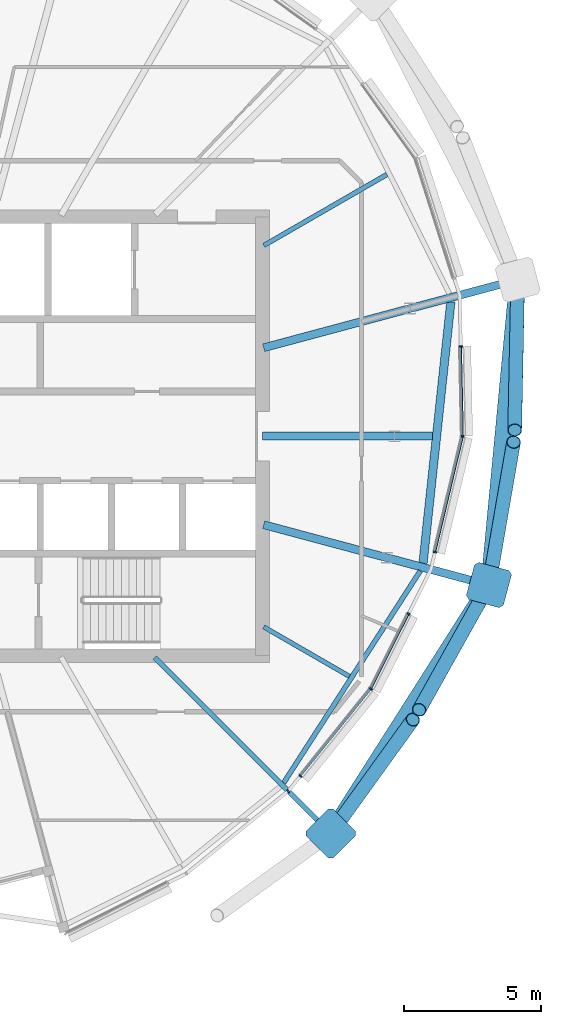
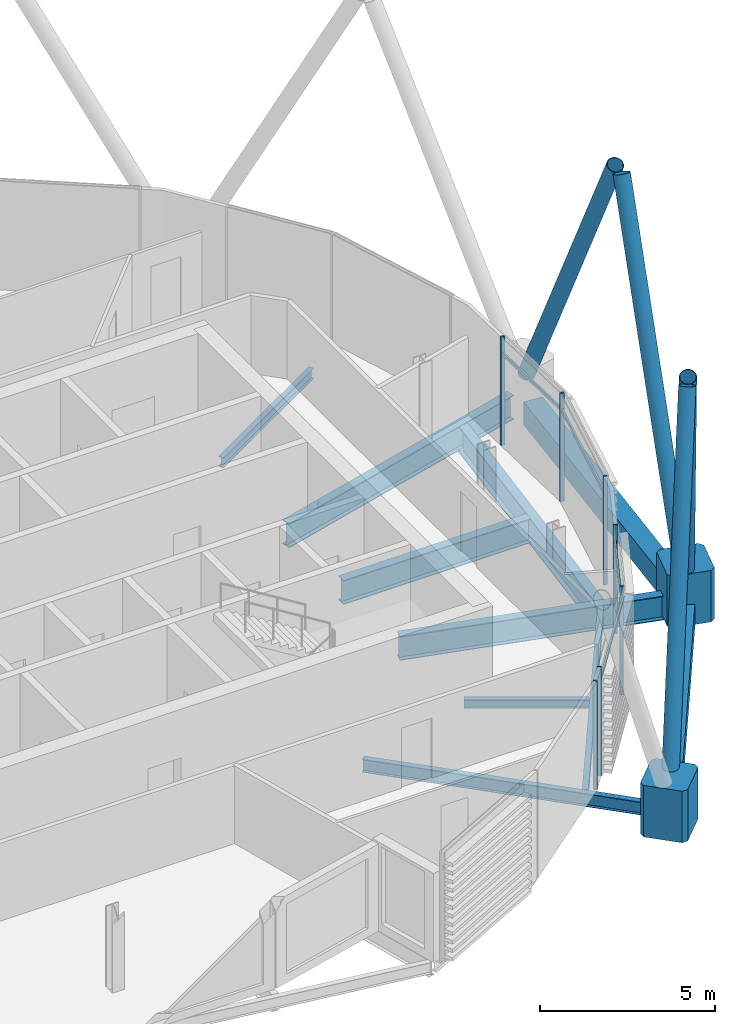
# One storey, part 14 of 32: 17 members, 10 beams, 1 element without a shape of its own.
"""IFC4 building model written with IfcOpenShell, lengths in metres."""

from ifc_helpers import new_model, si_unit, direction, frame, origin, origin_2d, place, context, subcontext, project, spatial, polyline, rectangle, hollow_rectangle, hollow_circle, i_section, outline, extrude, material, material_profile, profile_set, type_object, element, aggregate, save


model = new_model("IFC4")

# Units and contexts
model_context = context("Model", 3, precision=1e-05, world=origin(), true_north=direction((0.0, 1.0)))
body_context = subcontext(model_context, "Body", "Model", "MODEL_VIEW")
ifc_project = project(units=[si_unit("LENGTHUNIT", "METRE"), si_unit("AREAUNIT", "SQUARE_METRE"), si_unit("VOLUMEUNIT", "CUBIC_METRE"), si_unit("PLANEANGLEUNIT", "RADIAN"), si_unit("MASSUNIT", "GRAM", prefix="KILO")], contexts=[model_context])

# Site, building, storey
site_placement = place(None, origin())
site = spatial("IfcSite", under=ifc_project, at=site_placement, CompositionType="ELEMENT")
building_placement = place(site_placement, origin())
building = spatial("IfcBuilding", under=site, at=building_placement, Name="Rimbun Link Towers", CompositionType="ELEMENT")
storey_placement = place(building_placement, frame((0.0, 0.0, 233.300048828125)))
storey = spatial("IfcBuildingStorey", under=building, at=storey_placement, Name="L57", CompositionType="ELEMENT", Elevation=233.300048828125)

# Curtain wall, members
ifc_material_1 = material(Name="Aluminium 6063-T6 and low-iron glass", Category="aluminium")
curtain_wall_type = type_object("IfcCurtainWallType", Name="CW1-Z4 unitised vision wall (zone 4)", PredefinedType="NOTDEFINED", material=ifc_material_1)
curtain_wall_placement = place(storey_placement, origin())
curtain_wall = element("IfcCurtainWall", 1, at=curtain_wall_placement, inside=storey, type_object=curtain_wall_type, Name="CW1 L57 T2", PredefinedType="NOTDEFINED")
ifc_material_2 = material(Name="Aluminium 6063-T6", Category="aluminium")
ifc_material_profile_1 = material_profile(ifc_material_2, rectangle(XDim=0.1201171875, YDim=0.06005859375, at=origin_2d()), Name="MULLION 60X120")
ifc_profile_set_1 = profile_set([ifc_material_profile_1], Name="Aluminium 6063-T6")
member_type_1 = type_object("IfcMemberType", Name="CW1 mullion 60X120", PredefinedType="MULLION", material=ifc_profile_set_1)
member_1_placement = place(storey_placement, frame((44.68310546875, -12.942138671875, 0.0), z_axis=(0.0, 0.0, 1.0), x_axis=(0.629148262313, -0.777285317003, 0.0)))
member_1 = element("IfcMember", 2, at=member_1_placement, type_object=member_type_1, Name="CW1 mullion", PredefinedType="MULLION", context=body_context, shape_type="SweptSolid", body=[
    extrude(rectangle(XDim=0.1201171875, YDim=0.06005859375, at=origin_2d()), origin(), (0.0, 0.0, 1.0), 3.800048828125),
])
member_2_placement = place(storey_placement, frame((47.702392578125, -9.213623046875, 0.0), z_axis=(0.0, 0.0, 1.0), x_axis=(0.840317451193, -0.542094623862, 0.0)))
member_2 = element("IfcMember", 3, at=member_2_placement, type_object=member_type_1, Name="CW1 mullion", PredefinedType="MULLION", context=body_context, shape_type="SweptSolid", body=[
    extrude(rectangle(XDim=0.1201171875, YDim=0.06005859375, at=origin_2d()), origin(), (0.0, 0.0, 1.0), 3.800048828125),
])
member_3_placement = place(storey_placement, frame((45.13232421875, -12.38916015625, 0.0), z_axis=(0.0, 0.0, 1.0), x_axis=(0.777285317003, -0.629148262313, 0.0)))
member_3 = element("IfcMember", 4, at=member_3_placement, type_object=member_type_1, Name="CW1 mullion", PredefinedType="MULLION", context=body_context, shape_type="SweptSolid", body=[
    extrude(rectangle(XDim=0.1201171875, YDim=0.06005859375, at=origin_2d()), origin(), (0.0, 0.0, 1.0), 3.800048828125),
])
member_4_placement = place(storey_placement, frame((49.075439453125, -6.47998046875, 0.0), z_axis=(0.0, 0.0, 1.0), x_axis=(0.893642754219, -0.448779041213, 0.0)))
member_4 = element("IfcMember", 5, at=member_4_placement, type_object=member_type_1, Name="CW1 mullion", PredefinedType="MULLION", context=body_context, shape_type="SweptSolid", body=[
    extrude(rectangle(XDim=0.1201171875, YDim=0.06005859375, at=origin_2d()), origin(), (0.0, 0.0, 1.0), 3.800048828125),
])
member_5_placement = place(storey_placement, frame((51.0478515625, -0.00634765625, 0.0), z_axis=(0.0, 0.0, 1.0), x_axis=(0.994297670519, -0.106640247566, 0.0)))
member_5 = element("IfcMember", 6, at=member_5_placement, type_object=member_type_1, Name="CW1 mullion", PredefinedType="MULLION", context=body_context, shape_type="SweptSolid", body=[
    extrude(rectangle(XDim=0.1201171875, YDim=0.06005859375, at=origin_2d()), origin(), (0.0, 0.0, 1.0), 3.800048828125),
])
member_6_placement = place(storey_placement, frame((50.039306640625, -4.22607421875, 0.0), z_axis=(0.0, 0.0, 1.0), x_axis=(0.972571783307, -0.23260293703, 0.0)))
member_6 = element("IfcMember", 7, at=member_6_placement, type_object=member_type_1, Name="CW1 mullion", PredefinedType="MULLION", context=body_context, shape_type="SweptSolid", body=[
    extrude(rectangle(XDim=0.1201171875, YDim=0.06005859375, at=origin_2d()), origin(), (0.0, 0.0, 1.0), 3.800048828125),
])
member_7_placement = place(storey_placement, frame((50.979248046875, 3.277587890625, 0.0), z_axis=(0.0, 0.0, 1.0), x_axis=(0.999778112574, 0.021064795684, 0.0)))
member_7 = element("IfcMember", 8, at=member_7_placement, type_object=member_type_1, Name="CW1 mullion", PredefinedType="MULLION", context=body_context, shape_type="SweptSolid", body=[
    extrude(rectangle(XDim=0.1201171875, YDim=0.06005859375, at=origin_2d()), origin(), (0.0, 0.0, 1.0), 3.800048828125),
])
ifc_material_3 = material(Name="Aluminium 6063-T6", Category="aluminium")
ifc_material_profile_2 = material_profile(ifc_material_3, rectangle(XDim=0.06005859375, YDim=0.1201171875, at=origin_2d()), Name="TRANSOM 60X120")
ifc_profile_set_2 = profile_set([ifc_material_profile_2], Name="Aluminium 6063-T6")
member_type_2 = type_object("IfcMemberType", Name="CW1 transom 60X120", PredefinedType="USERDEFINED", material=ifc_profile_set_2)
member_8_placement = place(storey_placement, frame((47.67822265625, -9.24072265625, 3.199951171875), z_axis=(-0.629166772352, -0.77727033429, 0.0), x_axis=(0.77727033429, -0.629166772352, 0.0)))
member_8 = element("IfcMember", 9, at=member_8_placement, type_object=member_type_2, Name="CW1 transom", ObjectType="TRANSOM", PredefinedType="USERDEFINED", context=body_context, shape_type="SweptSolid", body=[
    extrude(rectangle(XDim=0.06005859375, YDim=0.1201171875, at=origin_2d()), origin(), (0.0, 0.0, 1.0), 4.018798828125),
])
member_9_placement = place(storey_placement, frame((49.060302734375, -6.505859375, 3.199951171875), z_axis=(-0.448779272577, -0.89364263803, 0.0), x_axis=(0.89364263803, -0.448779272577, 0.0)))
member_9 = element("IfcMember", 10, at=member_9_placement, type_object=member_type_2, Name="CW1 transom", ObjectType="TRANSOM", PredefinedType="USERDEFINED", context=body_context, shape_type="SweptSolid", body=[
    extrude(rectangle(XDim=0.06005859375, YDim=0.1201171875, at=origin_2d()), origin(), (0.0, 0.0, 1.0), 2.99267578125),
])
member_10_placement = place(storey_placement, frame((51.037841796875, -0.042724609375, 3.199951171875), z_axis=(-0.232650791791, -0.972560336986, 0.0), x_axis=(0.972560336986, -0.232650791791, 0.0)))
member_10 = element("IfcMember", 11, at=member_10_placement, type_object=member_type_2, Name="CW1 transom", ObjectType="TRANSOM", PredefinedType="USERDEFINED", context=body_context, shape_type="SweptSolid", body=[
    extrude(rectangle(XDim=0.06005859375, YDim=0.1201171875, at=origin_2d()), origin(), (0.0, 0.0, 1.0), 4.27099609375),
])
member_11_placement = place(storey_placement, frame((50.977783203125, 3.24755859375, 3.199951171875), z_axis=(0.021097474096, -0.999777423523, 0.0), x_axis=(0.999777423523, 0.021097474096, 0.0)))
member_11 = element("IfcMember", 12, at=member_11_placement, type_object=member_type_2, Name="CW1 transom", ObjectType="TRANSOM", PredefinedType="USERDEFINED", context=body_context, shape_type="SweptSolid", body=[
    extrude(rectangle(XDim=0.06005859375, YDim=0.1201171875, at=origin_2d()), origin(), (0.0, 0.0, 1.0), 3.217041015625),
])
aggregate(curtain_wall, [member_1, member_2, member_3, member_4, member_5, member_6, member_7, member_8, member_9, member_10, member_11])

# Members
ifc_material_4 = material(Name="Steel S355J2H", Category="steel")
ifc_material_profile_3 = material_profile(ifc_material_4, hollow_circle(Radius=0.25390625, WallThickness=0.02001953125, at=origin_2d()), Name="Diagrid diagonal CHS 508x20")
ifc_profile_set_3 = profile_set([ifc_material_profile_3], Name="Steel S355J2H")
member_type_3 = type_object("IfcMemberType", Name="Diagrid diagonal CHS 508x20", PredefinedType="BRACE", material=ifc_profile_set_3)
member_12_placement = place(storey_placement, frame((46.360107421875, -14.314453125, 0.452880859375), z_axis=(0.247697139231, 0.343505119742, 0.905897543836), x_axis=(-0.811115983723, 0.584885340002, 0.0)))
element("IfcMember", 13, at=member_12_placement, inside=storey, type_object=member_type_3, Name="Diagrid diagonal T2 L57-L60 18b", PredefinedType="BRACE", context=body_context, shape_type="SweptSolid", body=[
    extrude(hollow_circle(Radius=0.25390625, WallThickness=0.02001953125, at=origin_2d()), origin(), (0.0, 0.0, 1.0), 11.584228515625),
])
member_13_placement = place(storey_placement, frame((51.898193359375, -5.614501953125, 0.451416015625), z_axis=(-0.209871726675, -0.375118936722, 0.902906219745), x_axis=(0.872699225967, -0.488258190915, 0.0)))
element("IfcMember", 14, at=member_13_placement, inside=storey, type_object=member_type_3, Name="Diagrid diagonal T2 L57-L60 20a", PredefinedType="BRACE", context=body_context, shape_type="SweptSolid", body=[
    extrude(hollow_circle(Radius=0.25390625, WallThickness=0.02001953125, at=origin_2d()), origin(), (0.0, 0.0, 1.0), 11.6259765625),
])
member_14_placement = place(storey_placement, frame((52.0400390625, -5.21240234375, 0.4501953125), z_axis=(0.073931039685, 0.428636716067, 0.900446981788), x_axis=(-0.985449274702, 0.16996978258, 0.0)))
element("IfcMember", 15, at=member_14_placement, inside=storey, type_object=member_type_3, Name="Diagrid diagonal T2 L57-L60 20b", PredefinedType="BRACE", context=body_context, shape_type="SweptSolid", body=[
    extrude(hollow_circle(Radius=0.25390625, WallThickness=0.02001953125, at=origin_2d()), origin(), (0.0, 0.0, 1.0), 11.660400390625),
])
member_15_placement = place(storey_placement, frame((53.049072265625, 5.484375, 0.447021484375), z_axis=(-0.008976241176, -0.447710806999, 0.894133357162), x_axis=(0.999799075466, -0.020045166408, 0.0)))
element("IfcMember", 16, at=member_15_placement, inside=storey, type_object=member_type_3, Name="Diagrid diagonal T2 L57-L60 22a", PredefinedType="BRACE", context=body_context, shape_type="SweptSolid", body=[
    extrude(hollow_circle(Radius=0.25390625, WallThickness=0.02001953125, at=origin_2d()), origin(), (0.0, 0.0, 1.0), 11.749755859375),
])
ifc_material_5 = material(Name="Cast steel G20Mn5+QT, Rp0.2 300 MPa", Category="steel")
ifc_material_profile_4 = material_profile(ifc_material_5, outline(polyline([(0.699951171875, -0.570068359375), (0.699951171875, 0.570068359375), (0.570068359375, 0.699951171875), (-0.570068359375, 0.699951171875), (-0.699951171875, 0.570068359375), (-0.699951171875, -0.570068359375), (-0.570068359375, -0.699951171875), (0.570068359375, -0.699951171875), (0.699951171875, -0.570068359375)])), Name="NODE 1400x1400")
ifc_profile_set_4 = profile_set([ifc_material_profile_4], Name="Cast steel G20Mn5+QT, Rp0.2 300 MPa")
member_type_4 = type_object("IfcMemberType", Name="Diagrid node cast 1400", PredefinedType="USERDEFINED", material=ifc_profile_set_4)
for number, where, z_axis, x_axis, name in (
    (17, (46.236328125, -14.486328125, -0.900146484375), (0.0, 0.0, 1.0), (0.707106781187, -0.707106781187, 0.0), "Diagrid node L57 18"),
    (18, (52.0029296875, -5.4267578125, -0.900146484375), (0.0, 0.0, 1.0), (0.965925826289, -0.258819045103, 0.0), "Diagrid node L57 20"),
):
    element("IfcMember", number, at=place(storey_placement, frame(where, z_axis=z_axis, x_axis=x_axis)), inside=storey, type_object=member_type_4, Name=name, ObjectType="Diagrid node", PredefinedType="USERDEFINED", context=body_context, shape_type="SweptSolid", body=[
        extrude(outline(polyline([(0.699951171875, -0.570068359375), (0.699951171875, 0.570068359375), (0.570068359375, 0.699951171875), (-0.570068359375, 0.699951171875), (-0.699951171875, 0.570068359375), (-0.699951171875, -0.570068359375), (-0.570068359375, -0.699951171875), (0.570068359375, -0.699951171875), (0.699951171875, -0.570068359375)])), origin(), (0.0, 0.0, 1.0), 1.800048828125),
    ])

# Beams
ifc_material_6 = material(Name="Steel S355J2", Category="steel")
ifc_material_profile_5 = material_profile(ifc_material_6, hollow_rectangle(XDim=0.60009765625, YDim=0.800048828125, WallThickness=0.0400390625, at=origin_2d()), Name="Exoskeleton ring girder BOX 600x800x40")
ifc_profile_set_5 = profile_set([ifc_material_profile_5], Name="Steel S355J2")
beam_type_1 = type_object("IfcBeamType", Name="Exoskeleton ring girder BOX 600x800x40", PredefinedType="BEAM", material=ifc_profile_set_5)
beam_1_placement = place(storey_placement, frame((46.6123046875, -13.895751953125, -0.56005859375), z_axis=(0.536978671392, 0.843595819377, 0.0), x_axis=(-0.843595819377, 0.536978671392, 0.0)))
element("IfcBeam", 19, at=beam_1_placement, inside=storey, type_object=beam_type_1, Name="Exoskeleton ring girder L57 06", PredefinedType="BEAM", context=body_context, shape_type="SweptSolid", body=[
    extrude(hollow_rectangle(XDim=0.60009765625, YDim=0.800048828125, WallThickness=0.0400390625, at=origin_2d()), origin(), (0.0, 0.0, 1.0), 9.339111328125),
])
beam_2_placement = place(storey_placement, frame((52.06884765625, -4.72998046875, -0.56005859375), z_axis=(0.093916528463, 0.995580074972, 0.0), x_axis=(-0.995580074972, 0.093916528463, 0.0)))
element("IfcBeam", 20, at=beam_2_placement, inside=storey, type_object=beam_type_1, Name="Exoskeleton ring girder L57 07", PredefinedType="BEAM", context=body_context, shape_type="SweptSolid", body=[
    extrude(hollow_rectangle(XDim=0.60009765625, YDim=0.800048828125, WallThickness=0.0400390625, at=origin_2d()), origin(), (0.0, 0.0, 1.0), 9.78466796875),
])
ifc_material_7 = material(Name="Steel S355J2", Category="steel")
ifc_material_profile_6 = material_profile(ifc_material_7, i_section(OverallWidth=0.1650390625, OverallDepth=0.303466796875, WebThickness=0.006103515625, FlangeThickness=0.01025390625, at=origin_2d()), Name="UB 305x165x40")
ifc_profile_set_6 = profile_set([ifc_material_profile_6], Name="Steel S355J2")
beam_type_2 = type_object("IfcBeamType", Name="UB 305x165x40", PredefinedType="BEAM", material=ifc_profile_set_6)
beam_3_placement = place(storey_placement, frame((43.7919921875, -6.952392578125, -0.291748046875), z_axis=(0.866013024682, -0.500021440621, 0.0), x_axis=(0.500021440621, 0.866013024682, 0.0)))
element("IfcBeam", 21, at=beam_3_placement, inside=storey, type_object=beam_type_2, Name="Radial beam T2 L57 19", PredefinedType="BEAM", context=body_context, shape_type="SweptSolid", body=[
    extrude(i_section(OverallWidth=0.1650390625, OverallDepth=0.303466796875, WebThickness=0.006103515625, FlangeThickness=0.01025390625, at=origin_2d()), origin(), (0.0, 0.0, 1.0), 3.604736328125),
])
ifc_material_8 = material(Name="Steel S355J2", Category="steel")
ifc_material_profile_7 = material_profile(ifc_material_8, i_section(OverallWidth=0.17138671875, OverallDepth=0.35498046875, WebThickness=0.00732421875, FlangeThickness=0.011474609375, at=origin_2d()), Name="UB 356x171x51")
ifc_profile_set_7 = profile_set([ifc_material_profile_7], Name="Steel S355J2")
beam_type_3 = type_object("IfcBeamType", Name="UB 356x171x51", PredefinedType="BEAM", material=ifc_profile_set_7)
beam_4_placement = place(storey_placement, frame((43.793701171875, 6.95361328125, -0.317626953125), z_axis=(0.866039643623, 0.499975335065, 0.0), x_axis=(-0.499975335065, 0.866039643623, 0.0)))
element("IfcBeam", 22, at=beam_4_placement, inside=storey, type_object=beam_type_3, Name="Radial beam T2 L57 23", PredefinedType="BEAM", context=body_context, shape_type="SweptSolid", body=[
    extrude(i_section(OverallWidth=0.17138671875, OverallDepth=0.35498046875, WebThickness=0.00732421875, FlangeThickness=0.011474609375, at=origin_2d()), origin(), (0.0, 0.0, 1.0), 5.181396484375),
])
ifc_material_9 = material(Name="Steel S355J2", Category="steel")
ifc_material_profile_8 = material_profile(ifc_material_9, i_section(OverallWidth=0.177978515625, OverallDepth=0.406494140625, WebThickness=0.0078125, FlangeThickness=0.0126953125, at=origin_2d()), Name="UB 406x178x60")
ifc_profile_set_8 = profile_set([ifc_material_profile_8], Name="Steel S355J2")
beam_type_4 = type_object("IfcBeamType", Name="UB 406x178x60", PredefinedType="BEAM", material=ifc_profile_set_8)
beam_5_placement = place(storey_placement, frame((44.520751953125, -12.635009765625, -0.34326171875), z_axis=(0.541644616108, 0.84060758374, 0.0), x_axis=(-0.84060758374, 0.541644616108, 0.0)))
element("IfcBeam", 23, at=beam_5_placement, inside=storey, type_object=beam_type_4, Name="Edge beam T2 L57 18-20", PredefinedType="BEAM", context=body_context, shape_type="SweptSolid", body=[
    extrude(i_section(OverallWidth=0.177978515625, OverallDepth=0.406494140625, WebThickness=0.0078125, FlangeThickness=0.0126953125, at=origin_2d()), origin(), (0.0, 0.0, 1.0), 9.19189453125),
])
ifc_material_10 = material(Name="Steel S355J2", Category="steel")
ifc_material_profile_9 = material_profile(ifc_material_10, i_section(OverallWidth=0.18994140625, OverallDepth=0.453369140625, WebThickness=0.008544921875, FlangeThickness=0.0126953125, at=origin_2d()), Name="UB 457x191x67")
ifc_profile_set_9 = profile_set([ifc_material_profile_9], Name="Steel S355J2")
beam_type_5 = type_object("IfcBeamType", Name="UB 457x191x67", PredefinedType="BEAM", material=ifc_profile_set_9)
beam_6_placement = place(storey_placement, frame((39.81787109375, -8.06787109375, -0.36669921875), z_axis=(0.707106781187, -0.707106781187, 0.0), x_axis=(0.707106781187, 0.707106781187, 0.0)))
element("IfcBeam", 24, at=beam_6_placement, inside=storey, type_object=beam_type_5, Name="Radial beam T2 L57 18", PredefinedType="BEAM", context=body_context, shape_type="SweptSolid", body=[
    extrude(i_section(OverallWidth=0.18994140625, OverallDepth=0.453369140625, WebThickness=0.008544921875, FlangeThickness=0.0126953125, at=origin_2d()), origin(), (0.0, 0.0, 1.0), 8.5771484375),
])
ifc_material_11 = material(Name="Steel S355J2", Category="steel")
ifc_material_profile_10 = material_profile(ifc_material_11, i_section(OverallWidth=0.29248046875, OverallDepth=0.8408203125, WebThickness=0.0126953125, FlangeThickness=0.021728515625, at=origin_2d()), Name="UB 838x292x194")
ifc_profile_set_10 = profile_set([ifc_material_profile_10], Name="Steel S355J2")
beam_type_6 = type_object("IfcBeamType", Name="UB 838x292x194", PredefinedType="BEAM", material=ifc_profile_set_10)
beam_7_placement = place(storey_placement, frame((43.788818359375, -3.225830078125, -0.560302734375), z_axis=(0.965926947837, -0.258814859393, 0.0), x_axis=(0.258814859393, 0.965926947837, 0.0)))
element("IfcBeam", 25, at=beam_7_placement, inside=storey, type_object=beam_type_6, Name="Radial beam T2 L57 20", PredefinedType="BEAM", context=body_context, shape_type="SweptSolid", body=[
    extrude(i_section(OverallWidth=0.29248046875, OverallDepth=0.8408203125, WebThickness=0.0126953125, FlangeThickness=0.021728515625, at=origin_2d()), origin(), (0.0, 0.0, 1.0), 8.00390625),
])
beam_8_placement = place(storey_placement, frame((43.7509765625, 0.0, -0.560302734375), z_axis=(1.0, 0.0, 0.0), x_axis=(0.0, 1.0, 0.0)))
element("IfcBeam", 26, at=beam_8_placement, inside=storey, type_object=beam_type_6, Name="Radial beam T2 L57 21", PredefinedType="BEAM", context=body_context, shape_type="SweptSolid", body=[
    extrude(i_section(OverallWidth=0.29248046875, OverallDepth=0.8408203125, WebThickness=0.0126953125, FlangeThickness=0.021728515625, at=origin_2d()), origin(), (0.0, 0.0, 1.0), 6.186767578125),
])
beam_9_placement = place(storey_placement, frame((43.788818359375, 3.225830078125, -0.560302734375), z_axis=(0.965926715487, 0.258815726546, 0.0), x_axis=(-0.258815726546, 0.965926715487, 0.0)))
element("IfcBeam", 27, at=beam_9_placement, inside=storey, type_object=beam_type_6, Name="Radial beam T2 L57 22", PredefinedType="BEAM", context=body_context, shape_type="SweptSolid", body=[
    extrude(i_section(OverallWidth=0.29248046875, OverallDepth=0.8408203125, WebThickness=0.0126953125, FlangeThickness=0.021728515625, at=origin_2d()), origin(), (0.0, 0.0, 1.0), 9.091552734375),
])
ifc_material_12 = material(Name="Steel S355J2", Category="steel")
ifc_material_profile_11 = material_profile(ifc_material_12, i_section(OverallWidth=0.305419921875, OverallDepth=0.91845703125, WebThickness=0.017333984375, FlangeThickness=0.02783203125, at=origin_2d()), Name="UB 914x305x253")
ifc_profile_set_11 = profile_set([ifc_material_profile_11], Name="Steel S355J2")
beam_type_7 = type_object("IfcBeamType", Name="UB 914x305x253", PredefinedType="BEAM", material=ifc_profile_set_11)
beam_10_placement = place(storey_placement, frame((49.598876953125, -4.630126953125, -0.599365234375), z_axis=(0.105991791066, 0.994367004796, 0.0), x_axis=(-0.994367004796, 0.105991791066, 0.0)))
element("IfcBeam", 28, at=beam_10_placement, inside=storey, type_object=beam_type_7, Name="Edge beam T2 L57 20-22", PredefinedType="BEAM", context=body_context, shape_type="SweptSolid", body=[
    extrude(i_section(OverallWidth=0.305419921875, OverallDepth=0.91845703125, WebThickness=0.017333984375, FlangeThickness=0.02783203125, at=origin_2d()), origin(), (0.0, 0.0, 1.0), 9.586669921875),
])

save(model, "model.ifc")
